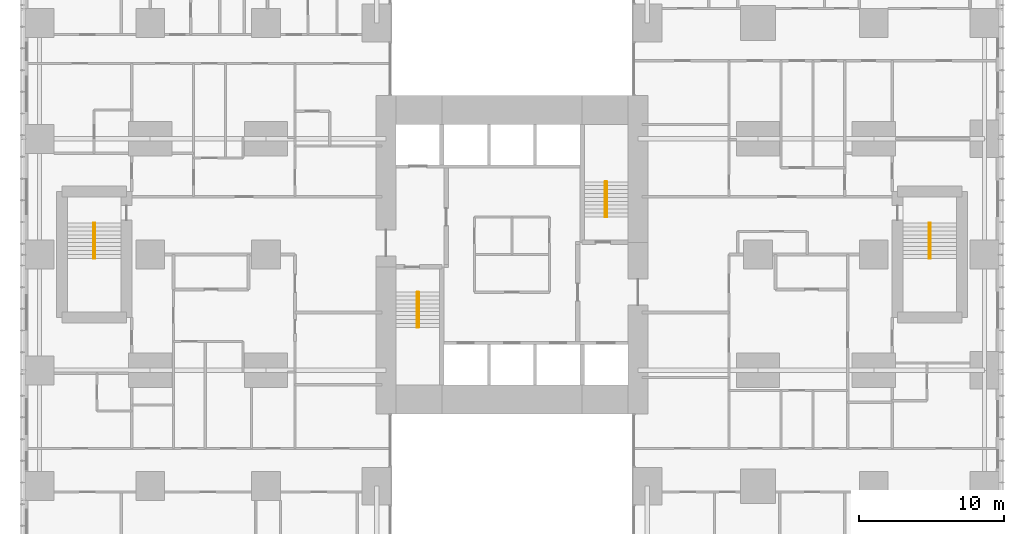
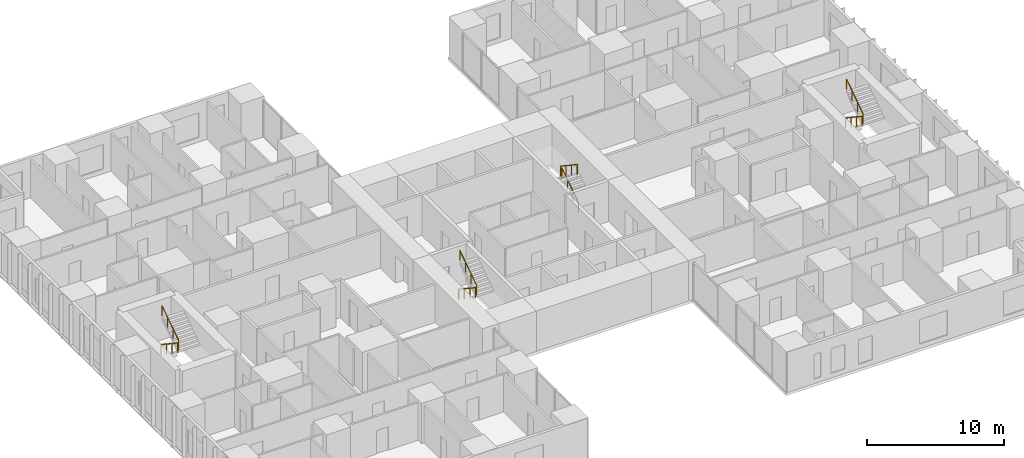
# One storey, part 20 of 20: 8 railings.
"""IFC4 building model written with IfcOpenShell, lengths in metres."""

from ifc_helpers import new_model, si_unit, direction, frame, origin, origin_2d, place, context, subcontext, project, spatial, circle, extrude, material, type_object, element, save


model = new_model("IFC4")

# Units and contexts
model_context = context("Model", 3, precision=1e-05, world=origin(), true_north=direction((0.0, 1.0)))
body_context = subcontext(model_context, "Body", "Model", "MODEL_VIEW")
ifc_project = project(units=[si_unit("LENGTHUNIT", "METRE"), si_unit("AREAUNIT", "SQUARE_METRE"), si_unit("VOLUMEUNIT", "CUBIC_METRE"), si_unit("PLANEANGLEUNIT", "RADIAN"), si_unit("MASSUNIT", "GRAM", prefix="KILO")], contexts=[model_context])

# Site, building, storey
site_placement = place(None, origin())
site = spatial("IfcSite", under=ifc_project, at=site_placement, CompositionType="ELEMENT")
building_placement = place(site_placement, origin())
building = spatial("IfcBuilding", under=site, at=building_placement, Name="Cleftline Residences", CompositionType="ELEMENT")
storey_placement = place(building_placement, frame((0.0, 0.0, 107.0)))
storey = spatial("IfcBuildingStorey", under=building, at=storey_placement, Name="L27", CompositionType="ELEMENT", Elevation=107.0)

# Railings
ifc_material = material(Name="Stainless steel", Category="steel")
railing_type = type_object("IfcRailingType", Name="HANDRAIL 900", PredefinedType="HANDRAIL", material=ifc_material)
railing_1_placement = place(storey_placement, frame((26.449951171875, 21.39990234375, 0.179931640625)))
element("IfcRailing", 1, at=railing_1_placement, inside=storey, type_object=railing_type, Name="Stair handrail", PredefinedType="HANDRAIL", context=body_context, shape_type="SweptSolid", body=[
    extrude(circle(Radius=0.02392578125, at=origin_2d()), frame((0.0, 0.0, 0.8759765625), z_axis=(0.0, -0.832024571796, 0.554738778101), x_axis=(1.0, 0.0, 0.0)), (0.0, 0.0, 1.0), 2.92041015625),
    extrude(circle(Radius=0.02099609375, at=origin_2d()), origin(), (0.0, 0.0, 1.0), 0.851806640625),
    extrude(circle(Radius=0.02099609375, at=origin_2d()), frame((0.0, -0.81005859375, 0.5400390625)), (0.0, 0.0, 1.0), 0.851806640625),
    extrude(circle(Radius=0.02099609375, at=origin_2d()), frame((0.0, -1.619873046875, 1.080078125)), (0.0, 0.0, 1.0), 0.851806640625),
    extrude(circle(Radius=0.02099609375, at=origin_2d()), frame((0.0, -2.429931640625, 1.6201171875)), (0.0, 0.0, 1.0), 0.851806640625),
])
for number, where, name in (
    (2, (26.550048828125, 18.969970703125, 1.97998046875), "Stair handrail"),
    (3, (39.550048828125, 26.60009765625, 0.179931640625), "Stair handrail"),
):
    element("IfcRailing", number, at=place(storey_placement, frame(where)), inside=storey, type_object=railing_type, Name=name, PredefinedType="HANDRAIL", context=body_context, shape_type="SweptSolid", body=[
        extrude(circle(Radius=0.02392578125, at=origin_2d()), frame((0.0, 0.0, 0.8759765625), z_axis=(0.0, 0.832024571796, 0.554738778101), x_axis=(-1.0, 0.0, 0.0)), (0.0, 0.0, 1.0), 2.92041015625),
        extrude(circle(Radius=0.02099609375, at=origin_2d()), origin(), (0.0, 0.0, 1.0), 0.851806640625),
        extrude(circle(Radius=0.02099609375, at=origin_2d()), frame((0.0, 0.81005859375, 0.5400390625)), (0.0, 0.0, 1.0), 0.851806640625),
        extrude(circle(Radius=0.02099609375, at=origin_2d()), frame((0.0, 1.619873046875, 1.080078125)), (0.0, 0.0, 1.0), 0.851806640625),
        extrude(circle(Radius=0.02099609375, at=origin_2d()), frame((0.0, 2.429931640625, 1.6201171875)), (0.0, 0.0, 1.0), 0.851806640625),
    ])
for number, where, name in (
    (4, (39.449951171875, 29.030029296875, 1.97998046875), "Stair handrail"),
    (5, (61.824951171875, 26.175048828125, 0.179931640625), "Stair handrail"),
):
    element("IfcRailing", number, at=place(storey_placement, frame(where)), inside=storey, type_object=railing_type, Name=name, PredefinedType="HANDRAIL", context=body_context, shape_type="SweptSolid", body=[
        extrude(circle(Radius=0.02392578125, at=origin_2d()), frame((0.0, 0.0, 0.8759765625), z_axis=(0.0, -0.832024571796, 0.554738778101), x_axis=(1.0, 0.0, 0.0)), (0.0, 0.0, 1.0), 2.92041015625),
        extrude(circle(Radius=0.02099609375, at=origin_2d()), origin(), (0.0, 0.0, 1.0), 0.851806640625),
        extrude(circle(Radius=0.02099609375, at=origin_2d()), frame((0.0, -0.81005859375, 0.5400390625)), (0.0, 0.0, 1.0), 0.851806640625),
        extrude(circle(Radius=0.02099609375, at=origin_2d()), frame((0.0, -1.619873046875, 1.080078125)), (0.0, 0.0, 1.0), 0.851806640625),
        extrude(circle(Radius=0.02099609375, at=origin_2d()), frame((0.0, -2.429931640625, 1.6201171875)), (0.0, 0.0, 1.0), 0.851806640625),
    ])
railing_2_placement = place(storey_placement, frame((61.925048828125, 23.7451171875, 1.97998046875)))
element("IfcRailing", 6, at=railing_2_placement, inside=storey, type_object=railing_type, Name="Stair handrail", PredefinedType="HANDRAIL", context=body_context, shape_type="SweptSolid", body=[
    extrude(circle(Radius=0.02392578125, at=origin_2d()), frame((0.0, 0.0, 0.8759765625), z_axis=(0.0, 0.832024571796, 0.554738778101), x_axis=(-1.0, 0.0, 0.0)), (0.0, 0.0, 1.0), 2.92041015625),
    extrude(circle(Radius=0.02099609375, at=origin_2d()), origin(), (0.0, 0.0, 1.0), 0.851806640625),
    extrude(circle(Radius=0.02099609375, at=origin_2d()), frame((0.0, 0.81005859375, 0.5400390625)), (0.0, 0.0, 1.0), 0.851806640625),
    extrude(circle(Radius=0.02099609375, at=origin_2d()), frame((0.0, 1.619873046875, 1.080078125)), (0.0, 0.0, 1.0), 0.851806640625),
    extrude(circle(Radius=0.02099609375, at=origin_2d()), frame((0.0, 2.429931640625, 1.6201171875)), (0.0, 0.0, 1.0), 0.851806640625),
])
railing_3_placement = place(storey_placement, frame((4.074951171875, 26.175048828125, 0.179931640625)))
element("IfcRailing", 7, at=railing_3_placement, inside=storey, type_object=railing_type, Name="Stair handrail", PredefinedType="HANDRAIL", context=body_context, shape_type="SweptSolid", body=[
    extrude(circle(Radius=0.02392578125, at=origin_2d()), frame((0.0, 0.0, 0.8759765625), z_axis=(0.0, -0.832024571796, 0.554738778101), x_axis=(1.0, 0.0, 0.0)), (0.0, 0.0, 1.0), 2.92041015625),
    extrude(circle(Radius=0.02099609375, at=origin_2d()), origin(), (0.0, 0.0, 1.0), 0.851806640625),
    extrude(circle(Radius=0.02099609375, at=origin_2d()), frame((0.0, -0.81005859375, 0.5400390625)), (0.0, 0.0, 1.0), 0.851806640625),
    extrude(circle(Radius=0.02099609375, at=origin_2d()), frame((0.0, -1.619873046875, 1.080078125)), (0.0, 0.0, 1.0), 0.851806640625),
    extrude(circle(Radius=0.02099609375, at=origin_2d()), frame((0.0, -2.429931640625, 1.6201171875)), (0.0, 0.0, 1.0), 0.851806640625),
])
railing_4_placement = place(storey_placement, frame((4.175048828125, 23.7451171875, 1.97998046875)))
element("IfcRailing", 8, at=railing_4_placement, inside=storey, type_object=railing_type, Name="Stair handrail", PredefinedType="HANDRAIL", context=body_context, shape_type="SweptSolid", body=[
    extrude(circle(Radius=0.02392578125, at=origin_2d()), frame((0.0, 0.0, 0.8759765625), z_axis=(0.0, 0.832024571796, 0.554738778101), x_axis=(-1.0, 0.0, 0.0)), (0.0, 0.0, 1.0), 2.92041015625),
    extrude(circle(Radius=0.02099609375, at=origin_2d()), origin(), (0.0, 0.0, 1.0), 0.851806640625),
    extrude(circle(Radius=0.02099609375, at=origin_2d()), frame((0.0, 0.81005859375, 0.5400390625)), (0.0, 0.0, 1.0), 0.851806640625),
    extrude(circle(Radius=0.02099609375, at=origin_2d()), frame((0.0, 1.619873046875, 1.080078125)), (0.0, 0.0, 1.0), 0.851806640625),
    extrude(circle(Radius=0.02099609375, at=origin_2d()), frame((0.0, 2.429931640625, 1.6201171875)), (0.0, 0.0, 1.0), 0.851806640625),
])

save(model, "model.ifc")
